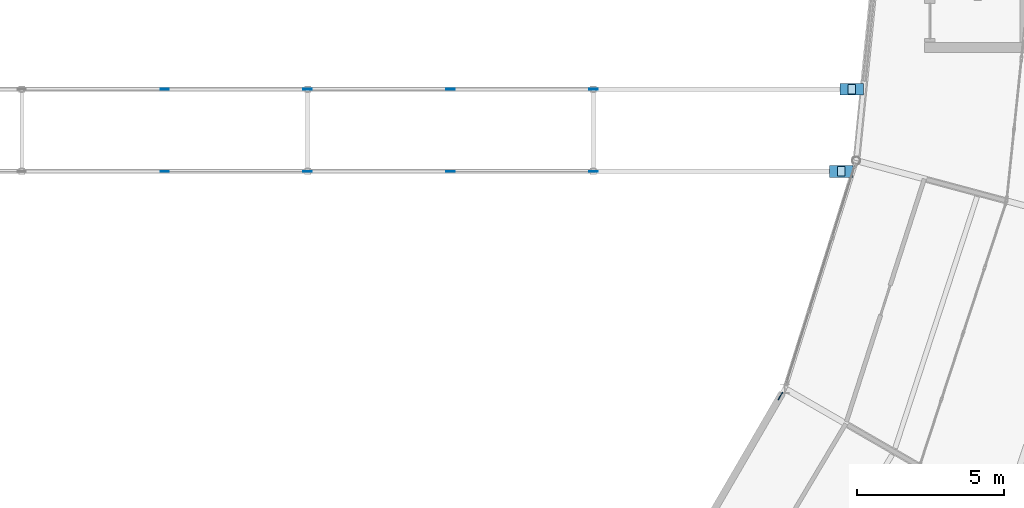
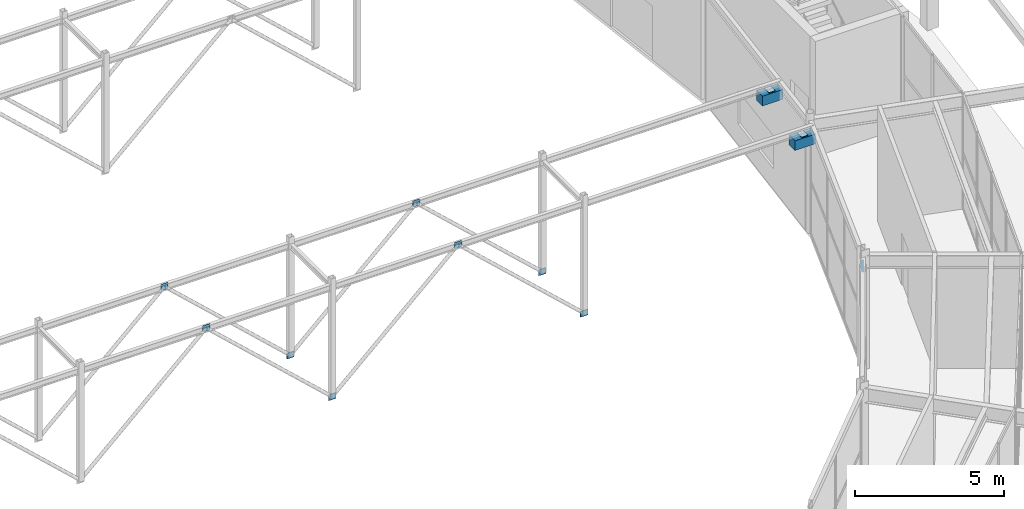
# One storey, part 114 of 144: 13 plates.
"""IFC4 building model written with IfcOpenShell, lengths in metres."""

from ifc_helpers import new_model, si_unit, direction, frame, origin, origin_2d, place, context, subcontext, project, spatial, rectangle, extrude, material, layer, layer_set, type_object, element, save


model = new_model("IFC4")

# Units and contexts
model_context = context("Model", 3, precision=1e-05, world=origin(), true_north=direction((0.0, 1.0)))
body_context = subcontext(model_context, "Body", "Model", "MODEL_VIEW")
ifc_project = project(units=[si_unit("LENGTHUNIT", "METRE"), si_unit("AREAUNIT", "SQUARE_METRE"), si_unit("VOLUMEUNIT", "CUBIC_METRE"), si_unit("PLANEANGLEUNIT", "RADIAN"), si_unit("MASSUNIT", "GRAM", prefix="KILO")], contexts=[model_context])

# Site, building, storey
site_placement = place(None, origin())
site = spatial("IfcSite", under=ifc_project, at=site_placement, CompositionType="ELEMENT")
building_placement = place(site_placement, origin())
building = spatial("IfcBuilding", under=site, at=building_placement, Name="Karori Crest Natural Sciences Institute", CompositionType="ELEMENT")
storey_placement = place(building_placement, origin())
storey = spatial("IfcBuildingStorey", under=building, at=storey_placement, Name="L00", CompositionType="ELEMENT", Elevation=0.0)

# Plates
ifc_material = material(Name="Structural steel AS/NZS 3679.1 Grade 350", Category="steel")
ifc_layer_1 = layer(ifc_material, 0.02490234375, Name="Structural steel AS/NZS 3679.1 Grade 350")
ifc_layer_set_1 = layer_set([ifc_layer_1], Name="Structural steel AS/NZS 3679.1 Grade 350")
plate_type_1 = type_object("IfcPlateType", Name="PLT-06", PredefinedType="SHEET", material=ifc_layer_set_1)
plate_1_placement = place(storey_placement, frame((87.380126953125, 33.540771484375, 4.220703125), z_axis=(0.0, 0.0, 1.0), x_axis=(0.502651840669, 0.86448893982, 0.0)))
element("IfcPlate", 1, at=plate_1_placement, inside=storey, type_object=plate_type_1, Name="Brace gusset plate EP-0016", PredefinedType="SHEET", context=body_context, shape_type="SweptSolid", body=[
    extrude(rectangle(XDim=0.299072265625, YDim=0.02490234375, at=origin_2d()), origin(), (0.0, 0.0, 1.0), 0.259033203125),
])
ifc_layer_2 = layer(ifc_material, 0.02490234375, Name="Structural steel AS/NZS 3679.1 Grade 350")
ifc_layer_set_2 = layer_set([ifc_layer_2], Name="Structural steel AS/NZS 3679.1 Grade 350")
plate_type_2 = type_object("IfcPlateType", Name="PLT-06-EL", PredefinedType="SHEET", material=ifc_layer_set_2)
for number, where, z_axis, x_axis, name in (
    (2, (66.39990234375, 41.199951171875, 4.39990234375), (0.0, 0.0, 1.0), (1.0, 0.0, 0.0), "Brace gusset plate EP-0162"),
    (3, (71.27001953125, 41.199951171875, -0.10986328125), (0.0, 0.0, 1.0), (1.0, 0.0, 0.0), "Brace gusset plate EP-0163"),
    (4, (66.39990234375, 44.0, 4.39990234375), (0.0, 0.0, 1.0), (1.0, 0.0, 0.0), "Brace gusset plate EP-0165"),
    (5, (71.27001953125, 44.0, -0.10986328125), (0.0, 0.0, 1.0), (1.0, 0.0, 0.0), "Brace gusset plate EP-0166"),
    (6, (76.139892578125, 41.199951171875, 4.39990234375), (0.0, 0.0, 1.0), (1.0, 0.0, 0.0), "Brace gusset plate EP-0168"),
    (7, (81.010009765625, 41.199951171875, -0.10986328125), (0.0, 0.0, 1.0), (1.0, 0.0, 0.0), "Brace gusset plate EP-0169"),
    (8, (76.139892578125, 44.0, 4.39990234375), (0.0, 0.0, 1.0), (1.0, 0.0, 0.0), "Brace gusset plate EP-0171"),
    (9, (81.010009765625, 44.0, -0.10986328125), (0.0, 0.0, 1.0), (1.0, 0.0, 0.0), "Brace gusset plate EP-0172"),
):
    element("IfcPlate", number, at=place(storey_placement, frame(where, z_axis=z_axis, x_axis=x_axis)), inside=storey, type_object=plate_type_2, Name=name, PredefinedType="SHEET", context=body_context, shape_type="SweptSolid", body=[
        extrude(rectangle(XDim=0.280029296875, YDim=0.02490234375, at=origin_2d()), origin(), (0.0, 0.0, 1.0), 0.239990234375),
    ])
plate_2_placement = place(storey_placement, frame((89.45361328125, 41.199951171875, 4.359130859375), z_axis=(0.0, 0.0, 1.0), x_axis=(1.0, 0.0, 0.0)))
element("IfcPlate", 10, at=plate_2_placement, inside=storey, type_object=plate_type_2, Name="Guided PTFE sliding bridge bearing EP-0175", PredefinedType="SHEET", context=body_context, shape_type="SweptSolid", body=[
    extrude(rectangle(XDim=0.25, YDim=0.320068359375, at=origin_2d()), origin(), (0.0, 0.0, 1.0), 0.02490234375),
])
plate_3_placement = place(storey_placement, frame((89.45361328125, 41.199951171875, 3.958984375), z_axis=(0.0, 0.0, 1.0), x_axis=(1.0, 0.0, 0.0)))
element("IfcPlate", 11, at=plate_3_placement, inside=storey, type_object=plate_type_2, Name="Bridge 800mm sliding corbel seat EP-0176", PredefinedType="SHEET", context=body_context, shape_type="SweptSolid", body=[
    extrude(rectangle(XDim=0.800048828125, YDim=0.39990234375, at=origin_2d()), origin(), (0.0, 0.0, 1.0), 0.39990234375),
])
plate_4_placement = place(storey_placement, frame((89.811279296875, 44.0, 4.359130859375), z_axis=(0.0, 0.0, 1.0), x_axis=(1.0, 0.0, 0.0)))
element("IfcPlate", 12, at=plate_4_placement, inside=storey, type_object=plate_type_2, Name="Guided PTFE sliding bridge bearing EP-0177", PredefinedType="SHEET", context=body_context, shape_type="SweptSolid", body=[
    extrude(rectangle(XDim=0.25, YDim=0.320068359375, at=origin_2d()), origin(), (0.0, 0.0, 1.0), 0.02490234375),
])
plate_5_placement = place(storey_placement, frame((89.811279296875, 44.0, 3.958984375), z_axis=(0.0, 0.0, 1.0), x_axis=(1.0, 0.0, 0.0)))
element("IfcPlate", 13, at=plate_5_placement, inside=storey, type_object=plate_type_2, Name="Bridge 800mm sliding corbel seat EP-0178", PredefinedType="SHEET", context=body_context, shape_type="SweptSolid", body=[
    extrude(rectangle(XDim=0.800048828125, YDim=0.39990234375, at=origin_2d()), origin(), (0.0, 0.0, 1.0), 0.39990234375),
])

save(model, "model.ifc")
